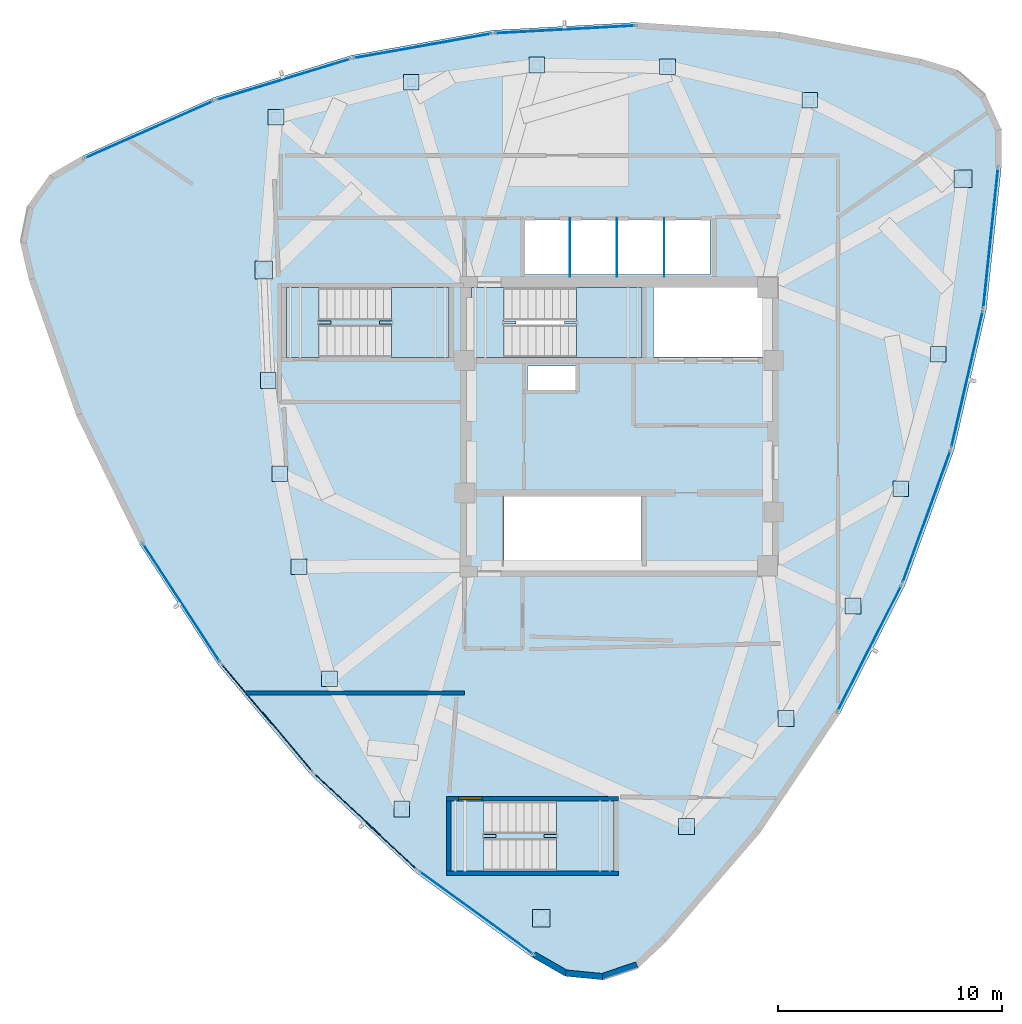
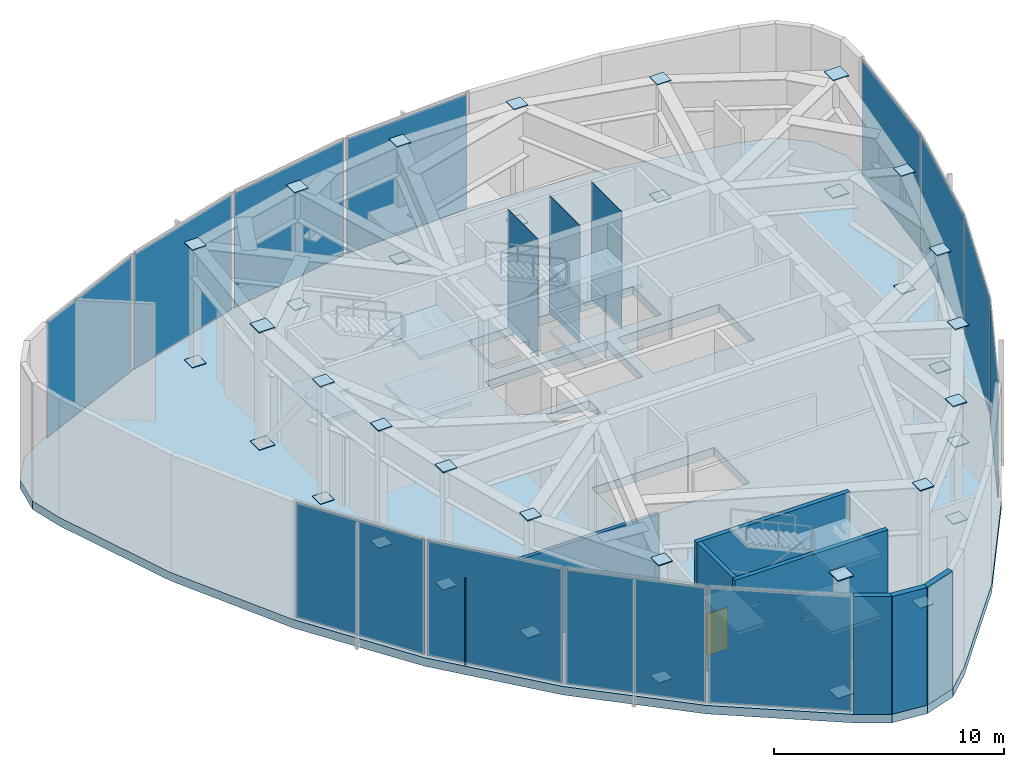
# One storey, part 7 of 13: 51 plates, 10 slabs, 7 walls, 1 door, 1 opening, 15 elements without a shape of their own.
"""IFC4 building model written with IfcOpenShell, lengths in metres."""

from ifc_helpers import new_model, si_unit, direction, frame, frame_2d, origin, origin_2d, place, context, subcontext, project, spatial, polyline, rectangle, outline, extrude, source, transform, mapped, material, layer, layer_set, type_object, type_shapes, element, fill, aggregate, save


model = new_model("IFC4")

# Units and contexts
model_context = context("Model", 3, precision=1e-05, world=origin(), true_north=direction((0.0, 1.0)))
body_context = subcontext(model_context, "Body", "Model", "MODEL_VIEW")
ifc_project = project(units=[si_unit("LENGTHUNIT", "METRE"), si_unit("AREAUNIT", "SQUARE_METRE"), si_unit("VOLUMEUNIT", "CUBIC_METRE"), si_unit("PLANEANGLEUNIT", "RADIAN"), si_unit("MASSUNIT", "GRAM", prefix="KILO")], contexts=[model_context])

# Site, building, storey
site_placement = place(None, origin())
site = spatial("IfcSite", under=ifc_project, at=site_placement, CompositionType="ELEMENT")
building_placement = place(site_placement, origin())
building = spatial("IfcBuilding", under=site, at=building_placement, Name="Tavelor Broadcast Tower", CompositionType="ELEMENT")
storey_placement = place(building_placement, frame((0.0, 0.0, 325.5)))
storey = spatial("IfcBuildingStorey", under=building, at=storey_placement, Name="L78", CompositionType="ELEMENT", Elevation=325.5)

# Stair, slabs
ifc_material_1 = material(Name="Concrete C40/50", Category="concrete")
stair_type = type_object("IfcStairType", Name="Reinforced Concrete Protected Dogleg Stair 1450 mm", PredefinedType="HALF_TURN_STAIR", material=ifc_material_1)
stair_1_placement = place(storey_placement, origin())
stair_1 = element("IfcStair", 1, at=stair_1_placement, inside=storey, type_object=stair_type, Name="L78 Protected Core Exit Stair ST1", PredefinedType="HALF_TURN_STAIR")
ifc_layer_1 = layer(ifc_material_1, 0.199951171875)
ifc_layer_set_1 = layer_set([ifc_layer_1], Name="Concrete C40/50")
slab_type_1 = type_object("IfcSlabType", Name="Reinforced Concrete Stair Half-Landing Slab 200 mm", PredefinedType="LANDING", material=ifc_layer_set_1)
slab_1_placement = place(storey_placement, frame((0.0, 0.0, 1.449951171875)))
slab_1 = element("IfcSlab", 2, at=slab_1_placement, type_object=slab_type_1, Name="ST1 landing 1", PredefinedType="LANDING", context=body_context, shape_type="SweptSolid", body=[
    extrude(outline(polyline([(48.0849609375, 49.590087890625), (48.0849609375, 48.094970703125), (51.0048828125, 48.094970703125), (51.0048828125, 51.205078125), (48.0849609375, 51.205078125), (48.0849609375, 49.7099609375), (47.544921875, 49.7099609375), (47.544921875, 49.590087890625), (48.0849609375, 49.590087890625)])), origin(), (0.0, 0.0, 1.0), 0.199951171875),
])
slab_2_placement = place(storey_placement, frame((0.0, 0.0, 3.10009765625)))
slab_2 = element("IfcSlab", 3, at=slab_2_placement, type_object=slab_type_1, Name="ST1 landing 2", PredefinedType="LANDING", context=body_context, shape_type="SweptSolid", body=[
    extrude(outline(polyline([(43.39501953125, 48.094970703125), (44.85498046875, 48.094970703125), (44.85498046875, 49.590087890625), (45.39501953125, 49.590087890625), (45.39501953125, 49.7099609375), (44.85498046875, 49.7099609375), (44.85498046875, 51.205078125), (43.39501953125, 51.205078125), (43.39501953125, 48.094970703125)])), origin(), (0.0, 0.0, 1.0), 0.199951171875),
])
slab_3_placement = place(storey_placement, frame((0.0, 0.0, 4.75)))
slab_3 = element("IfcSlab", 4, at=slab_3_placement, type_object=slab_type_1, Name="ST1 landing 3", PredefinedType="LANDING", context=body_context, shape_type="SweptSolid", body=[
    extrude(outline(polyline([(48.0849609375, 49.590087890625), (48.0849609375, 48.094970703125), (51.0048828125, 48.094970703125), (51.0048828125, 51.205078125), (48.0849609375, 51.205078125), (48.0849609375, 49.7099609375), (47.544921875, 49.7099609375), (47.544921875, 49.590087890625), (48.0849609375, 49.590087890625)])), origin(), (0.0, 0.0, 1.0), 0.199951171875),
])
aggregate(stair_1, [slab_1, slab_2, slab_3])

stair_2_placement = place(storey_placement, origin())
stair_2 = element("IfcStair", 5, at=stair_2_placement, inside=storey, type_object=stair_type, Name="L78 Crown Peak A Plant Stair ST5", PredefinedType="HALF_TURN_STAIR")
slab_4_placement = place(storey_placement, frame((0.0, 0.0, 1.449951171875)))
slab_4 = element("IfcSlab", 6, at=slab_4_placement, type_object=slab_type_1, Name="ST5 landing 1", PredefinedType="LANDING", context=body_context, shape_type="SweptSolid", body=[
    extrude(outline(polyline([(39.8349609375, 49.590087890625), (39.8349609375, 48.094970703125), (42.405029296875, 48.094970703125), (42.405029296875, 51.205078125), (39.8349609375, 51.205078125), (39.8349609375, 49.7099609375), (39.294921875, 49.7099609375), (39.294921875, 49.590087890625), (39.8349609375, 49.590087890625)])), origin(), (0.0, 0.0, 1.0), 0.199951171875),
])
slab_5_placement = place(storey_placement, frame((0.0, 0.0, 3.10009765625)))
slab_5 = element("IfcSlab", 7, at=slab_5_placement, type_object=slab_type_1, Name="ST5 landing 2", PredefinedType="LANDING", context=body_context, shape_type="SweptSolid", body=[
    extrude(outline(polyline([(35.14501953125, 48.094970703125), (36.60498046875, 48.094970703125), (36.60498046875, 49.590087890625), (37.14501953125, 49.590087890625), (37.14501953125, 49.7099609375), (36.60498046875, 49.7099609375), (36.60498046875, 51.205078125), (35.14501953125, 51.205078125), (35.14501953125, 48.094970703125)])), origin(), (0.0, 0.0, 1.0), 0.199951171875),
])
slab_6_placement = place(storey_placement, frame((0.0, 0.0, 4.75)))
slab_6 = element("IfcSlab", 8, at=slab_6_placement, type_object=slab_type_1, Name="ST5 landing 3", PredefinedType="LANDING", context=body_context, shape_type="SweptSolid", body=[
    extrude(outline(polyline([(39.8349609375, 49.590087890625), (39.8349609375, 48.094970703125), (42.405029296875, 48.094970703125), (42.405029296875, 51.205078125), (39.8349609375, 51.205078125), (39.8349609375, 49.7099609375), (39.294921875, 49.7099609375), (39.294921875, 49.590087890625), (39.8349609375, 49.590087890625)])), origin(), (0.0, 0.0, 1.0), 0.199951171875),
])
aggregate(stair_2, [slab_4, slab_5, slab_6])

stair_3_placement = place(storey_placement, origin())
stair_3 = element("IfcStair", 9, at=stair_3_placement, inside=storey, type_object=stair_type, Name="L78 Crown Peak B Plant Stair ST6", PredefinedType="HALF_TURN_STAIR")
slab_7_placement = place(storey_placement, frame((0.0, 0.0, 1.449951171875)))
slab_7 = element("IfcSlab", 10, at=slab_7_placement, type_object=slab_type_1, Name="ST6 landing 1", PredefinedType="LANDING", context=body_context, shape_type="SweptSolid", body=[
    extrude(outline(polyline([(47.18505859375, 26.68994140625), (47.18505859375, 25.195068359375), (49.7548828125, 25.195068359375), (49.7548828125, 28.304931640625), (47.18505859375, 28.304931640625), (47.18505859375, 26.81005859375), (46.64501953125, 26.81005859375), (46.64501953125, 26.68994140625), (47.18505859375, 26.68994140625)])), origin(), (0.0, 0.0, 1.0), 0.199951171875),
])
slab_8_placement = place(storey_placement, frame((0.0, 0.0, 3.10009765625)))
slab_8 = element("IfcSlab", 11, at=slab_8_placement, type_object=slab_type_1, Name="ST6 landing 2", PredefinedType="LANDING", context=body_context, shape_type="SweptSolid", body=[
    extrude(outline(polyline([(42.4951171875, 25.195068359375), (43.955078125, 25.195068359375), (43.955078125, 26.68994140625), (44.4951171875, 26.68994140625), (44.4951171875, 26.81005859375), (43.955078125, 26.81005859375), (43.955078125, 28.304931640625), (42.4951171875, 28.304931640625), (42.4951171875, 25.195068359375)])), origin(), (0.0, 0.0, 1.0), 0.199951171875),
])
slab_9_placement = place(storey_placement, frame((0.0, 0.0, 4.75)))
slab_9 = element("IfcSlab", 12, at=slab_9_placement, type_object=slab_type_1, Name="ST6 landing 3", PredefinedType="LANDING", context=body_context, shape_type="SweptSolid", body=[
    extrude(outline(polyline([(47.18505859375, 26.68994140625), (47.18505859375, 25.195068359375), (49.7548828125, 25.195068359375), (49.7548828125, 28.304931640625), (47.18505859375, 28.304931640625), (47.18505859375, 26.81005859375), (46.64501953125, 26.81005859375), (46.64501953125, 26.68994140625), (47.18505859375, 26.68994140625)])), origin(), (0.0, 0.0, 1.0), 0.199951171875),
])
aggregate(stair_3, [slab_7, slab_8, slab_9])

# Slab
ifc_layer_2 = layer(ifc_material_1, 0.449951171875)
ifc_layer_set_2 = layer_set([ifc_layer_2], Name="Concrete C40/50")
slab_type_2 = type_object("IfcSlabType", Name="Transfer Structural Floor Slab 450 mm", PredefinedType="FLOOR", material=ifc_layer_set_2)
slab_10_placement = place(storey_placement, frame((0.0, 0.0, -0.449951171875)))
element("IfcSlab", 13, at=slab_10_placement, inside=storey, type_object=slab_type_2, Name="L78 Structural Floor Slab", PredefinedType="FLOOR", context=body_context, shape_type="SweptSolid", body=[
    extrude(outline(polyline([(26.0498046875, 57.077392578125), (24.593017578125, 56.231201171875), (23.61328125, 54.860595703125), (23.284912109375, 53.208251953125), (23.665283203125, 51.567138671875), (25.776611328125, 45.51220703125), (28.60498046875, 39.757080078125), (32.109375, 34.38671875), (36.23779296875, 29.47998046875), (40.929443359375, 25.108642578125), (46.11572265625, 21.33740234375), (47.576904296875, 20.498779296875), (49.253662109375, 20.3359375), (50.84912109375, 20.87744140625), (52.080078125, 22.027587890625), (56.268310546875, 26.883544921875), (59.837890625, 32.210693359375), (62.736572265625, 37.930419921875), (64.921875, 43.959228515625), (66.361572265625, 50.2080078125), (67.034423828125, 56.585205078125), (67.030029296875, 58.269775390625), (66.332763671875, 59.803466796875), (65.066162109375, 60.914306640625), (63.45458984375, 61.405517578125), (57.1552734375, 62.6044921875), (50.757080078125, 63.0322265625), (44.35400390625, 62.6826171875), (38.040283203125, 61.560791015625), (31.908935546875, 59.683349609375), (26.0498046875, 57.077392578125)]), holes=[polyline([(50.99609375, 41.89599609375), (50.99609375, 38.803955078125), (44.85400390625, 38.803955078125), (44.85400390625, 41.89599609375), (50.99609375, 41.89599609375)]), polyline([(48.050048828125, 47.699951171875), (48.050048828125, 46.64990234375), (45.89990234375, 46.64990234375), (45.89990234375, 47.699951171875), (48.050048828125, 47.699951171875)]), polyline([(50.99609375, 51.196044921875), (50.99609375, 48.10400390625), (44.85400390625, 48.10400390625), (44.85400390625, 51.196044921875), (50.99609375, 51.196044921875)]), polyline([(56.60009765625, 48.10009765625), (51.52001953125, 48.10009765625), (51.52001953125, 51.199951171875), (56.60009765625, 51.199951171875), (56.60009765625, 48.10009765625)]), polyline([(54.050048828125, 51.800048828125), (45.800048828125, 51.800048828125), (45.800048828125, 54.25), (54.050048828125, 54.25), (54.050048828125, 51.800048828125)])]), origin(), (0.0, 0.0, 1.0), 0.449951171875),
])

# Plates
ifc_material_2 = material(Name="Steel S460", Category="steel")
ifc_layer_3 = layer(ifc_material_2, 0.050048828125)
ifc_layer_set_3 = layer_set([ifc_layer_3], Name="Steel S460")
plate_type_1 = type_object("IfcPlateType", Name="Tube Hollow-End Cap Plate KN05 700x700x50", PredefinedType="USERDEFINED", material=ifc_layer_set_3)
shared_shape_1 = source(origin(), body_context, "Body", "SweptSolid", [
    extrude(rectangle(XDim=0.699951171875, YDim=0.699951171875, at=origin_2d()), origin(), (0.0, 0.0, 1.0), 0.054931640625),
])
for number, where, z_axis, x_axis, name in (
    (14, (34.341552734375, 47.061279296875, -0.02734375), (0.0, 0.0, 1.0), (1.0, 0.0, 0.0), "L78 Hollow End Cap Plate KN05 #2391"),
    (15, (34.341552734375, 47.061279296875, 6.22265625), (0.0, 0.0, 1.0), (1.0, 0.0, 0.0), "L78 Hollow End Cap Plate KN05 #2392"),
    (16, (34.85400390625, 42.90185546875, -0.02734375), (0.0, 0.0, 1.0), (1.0, 0.0, 0.0), "L78 Hollow End Cap Plate KN05 #2393"),
    (17, (34.85400390625, 42.90185546875, 6.22265625), (0.0, 0.0, 1.0), (1.0, 0.0, 0.0), "L78 Hollow End Cap Plate KN05 #2394"),
    (18, (35.716552734375, 38.757080078125, -0.02734375), (0.0, 0.0, 1.0), (1.0, 0.0, 0.0), "L78 Hollow End Cap Plate KN05 #2395"),
    (19, (35.716552734375, 38.757080078125, 6.22265625), (0.0, 0.0, 1.0), (1.0, 0.0, 0.0), "L78 Hollow End Cap Plate KN05 #2396"),
    (20, (37.068115234375, 33.759521484375, -0.02734375), (0.0, 0.0, 1.0), (1.0, 0.0, 0.0), "L78 Hollow End Cap Plate KN05 #2397"),
    (21, (37.068115234375, 33.759521484375, 6.22265625), (0.0, 0.0, 1.0), (1.0, 0.0, 0.0), "L78 Hollow End Cap Plate KN05 #2398"),
    (22, (40.29638671875, 27.95361328125, -0.02734375), (0.0, 0.0, 1.0), (1.0, 0.0, 0.0), "L78 Hollow End Cap Plate KN05 #2399"),
    (23, (40.29638671875, 27.95361328125, 6.22265625), (0.0, 0.0, 1.0), (1.0, 0.0, 0.0), "L78 Hollow End Cap Plate KN05 #2400"),
    (24, (52.992919921875, 27.1767578125, -0.02734375), (0.0, 0.0, 1.0), (1.0, 0.0, 0.0), "L78 Hollow End Cap Plate KN05 #2403"),
    (25, (52.992919921875, 27.1767578125, 6.22265625), (0.0, 0.0, 1.0), (1.0, 0.0, 0.0), "L78 Hollow End Cap Plate KN05 #2404"),
    (26, (57.431396484375, 31.9921875, -0.02734375), (0.0, 0.0, 1.0), (1.0, 0.0, 0.0), "L78 Hollow End Cap Plate KN05 #2405"),
    (27, (57.431396484375, 31.9921875, 6.22265625), (0.0, 0.0, 1.0), (1.0, 0.0, 0.0), "L78 Hollow End Cap Plate KN05 #2406"),
    (28, (60.41748046875, 37.00439453125, -0.02734375), (0.0, 0.0, 1.0), (1.0, 0.0, 0.0), "L78 Hollow End Cap Plate KN05 #2407"),
    (29, (60.41748046875, 37.00439453125, 6.22265625), (0.0, 0.0, 1.0), (1.0, 0.0, 0.0), "L78 Hollow End Cap Plate KN05 #2408"),
    (30, (62.543701171875, 42.240478515625, -0.02734375), (0.0, 0.0, 1.0), (1.0, 0.0, 0.0), "L78 Hollow End Cap Plate KN05 #2409"),
    (31, (62.543701171875, 42.240478515625, 6.22265625), (0.0, 0.0, 1.0), (1.0, 0.0, 0.0), "L78 Hollow End Cap Plate KN05 #2410"),
    (32, (64.21435546875, 48.2373046875, -0.02734375), (0.0, 0.0, 1.0), (1.0, 0.0, 0.0), "L78 Hollow End Cap Plate KN05 #2411"),
    (33, (64.21435546875, 48.2373046875, 6.22265625), (0.0, 0.0, 1.0), (1.0, 0.0, 0.0), "L78 Hollow End Cap Plate KN05 #2412"),
    (34, (58.485595703125, 59.55712890625, -0.02734375), (0.0, 0.0, 1.0), (1.0, 0.0, 0.0), "L78 Hollow End Cap Plate KN05 #2415"),
    (35, (58.485595703125, 59.55712890625, 6.22265625), (0.0, 0.0, 1.0), (1.0, 0.0, 0.0), "L78 Hollow End Cap Plate KN05 #2416"),
    (36, (52.147216796875, 61.05078125, -0.02734375), (0.0, 0.0, 1.0), (1.0, 0.0, 0.0), "L78 Hollow End Cap Plate KN05 #2417"),
    (37, (52.147216796875, 61.05078125, 6.22265625), (0.0, 0.0, 1.0), (1.0, 0.0, 0.0), "L78 Hollow End Cap Plate KN05 #2418"),
    (38, (46.3154296875, 61.13720703125, -0.02734375), (0.0, 0.0, 1.0), (1.0, 0.0, 0.0), "L78 Hollow End Cap Plate KN05 #2419"),
    (39, (46.3154296875, 61.13720703125, 6.22265625), (0.0, 0.0, 1.0), (1.0, 0.0, 0.0), "L78 Hollow End Cap Plate KN05 #2420"),
    (40, (40.718017578125, 60.36083984375, -0.02734375), (0.0, 0.0, 1.0), (1.0, 0.0, 0.0), "L78 Hollow End Cap Plate KN05 #2421"),
    (41, (40.718017578125, 60.36083984375, 6.22265625), (0.0, 0.0, 1.0), (1.0, 0.0, 0.0), "L78 Hollow End Cap Plate KN05 #2422"),
    (42, (34.689208984375, 58.80908203125, -0.02734375), (0.0, 0.0, 1.0), (1.0, 0.0, 0.0), "L78 Hollow End Cap Plate KN05 #2423"),
    (43, (34.689208984375, 58.80908203125, 6.22265625), (0.0, 0.0, 1.0), (1.0, 0.0, 0.0), "L78 Hollow End Cap Plate KN05 #2424"),
):
    element("IfcPlate", number, at=place(storey_placement, frame(where, z_axis=z_axis, x_axis=x_axis)), inside=storey, type_object=plate_type_1, Name=name, ObjectType="CAP PLATE", PredefinedType="USERDEFINED", context=body_context, shape_type="MappedRepresentation", body=[
        mapped(shared_shape_1, transform((0.0, 0.0, 0.0), scale=1.0)),
    ])
shared_shape_2 = source(origin(), body_context, "Body", "SweptSolid", [
    extrude(rectangle(XDim=0.791015625, YDim=0.791015625, at=origin_2d()), origin(), (0.0, 0.0, 1.0), 0.054931640625),
])
type_shapes(plate_type_1, [shared_shape_1, shared_shape_2])
for number, where, z_axis, x_axis, name in (
    (44, (34.134765625, 51.995849609375, -0.02734375), (0.0, 0.0, 1.0), (1.0, 0.0, 0.0), "L78 Hollow End Cap Plate KN05 #2389"),
    (45, (34.134765625, 51.995849609375, 6.22265625), (0.0, 0.0, 1.0), (1.0, 0.0, 0.0), "L78 Hollow End Cap Plate KN05 #2390"),
    (46, (46.5146484375, 23.08740234375, -0.02734375), (0.0, 0.0, 1.0), (1.0, 0.0, 0.0), "L78 Hollow End Cap Plate KN05 #2401"),
    (47, (46.5146484375, 23.08740234375, 6.22265625), (0.0, 0.0, 1.0), (1.0, 0.0, 0.0), "L78 Hollow End Cap Plate KN05 #2402"),
    (48, (65.319580078125, 56.0556640625, -0.02734375), (0.0, 0.0, 1.0), (1.0, 0.0, 0.0), "L78 Hollow End Cap Plate KN05 #2413"),
    (49, (65.319580078125, 56.0556640625, 6.22265625), (0.0, 0.0, 1.0), (1.0, 0.0, 0.0), "L78 Hollow End Cap Plate KN05 #2414"),
):
    element("IfcPlate", number, at=place(storey_placement, frame(where, z_axis=z_axis, x_axis=x_axis)), inside=storey, type_object=plate_type_1, Name=name, ObjectType="CAP PLATE", PredefinedType="USERDEFINED", context=body_context, shape_type="MappedRepresentation", body=[
        mapped(shared_shape_2, transform((0.0, 0.0, 0.0), scale=1.0)),
    ])
ifc_material_3 = material(Name="Steel S355", Category="steel")
ifc_layer_4 = layer(ifc_material_3, 0.011962890625)
ifc_layer_set_4 = layer_set([ifc_layer_4], Name="Steel S355")
plate_type_2 = type_object("IfcPlateType", Name="Hoistway Steel Separator Screen 12 mm", PredefinedType="SHEET", material=ifc_layer_set_4)
shared_shape_3 = source(origin(), body_context, "Body", "SweptSolid", [
    extrude(rectangle(XDim=0.02001953125, YDim=2.6201171875, at=origin_2d()), origin(), (0.0, 0.0, 1.0), 6.25),
])
type_shapes(plate_type_2, [shared_shape_3])
for number, where, z_axis, x_axis, name in (
    (50, (47.800048828125, 52.989990234375, 0.0), (0.0, 0.0, 1.0), (1.0, 0.0, 0.0), "L78 High-Rise Hoistway Separator Screen 1"),
    (51, (49.89990234375, 52.989990234375, 0.0), (0.0, 0.0, 1.0), (1.0, 0.0, 0.0), "L78 High-Rise Hoistway Separator Screen 2"),
    (52, (52.0, 52.989990234375, 0.0), (0.0, 0.0, 1.0), (1.0, 0.0, 0.0), "L78 High-Rise Hoistway Separator Screen 3"),
):
    element("IfcPlate", number, at=place(storey_placement, frame(where, z_axis=z_axis, x_axis=x_axis)), inside=storey, type_object=plate_type_2, Name=name, PredefinedType="SHEET", context=body_context, shape_type="MappedRepresentation", body=[
        mapped(shared_shape_3, transform((0.0, 0.0, 0.0), scale=1.0)),
    ])

# Curtain wall, plate
ifc_material_4 = material(Name="Architectural Anodized Aluminium", Category="aluminium")
ifc_layer_5 = layer(ifc_material_4, 0.199951171875)
ifc_layer_set_5 = layer_set([ifc_layer_5], Name="Architectural Anodized Aluminium")
curtain_wall_type = type_object("IfcCurtainWallType", Name="Tower High-Zone Triple-Glazed Curtain Wall CW04", PredefinedType="NOTDEFINED", material=ifc_layer_set_5)
curtain_wall_1_placement = place(storey_placement, origin())
curtain_wall_1 = element("IfcCurtainWall", 53, at=curtain_wall_1_placement, inside=storey, type_object=curtain_wall_type, Name="L78 Curtain Wall CW04 Run 865", PredefinedType="NOTDEFINED")
ifc_material_5 = material(Name="High-Altitude Triple Glazing 36 mm", Category="glass")
ifc_layer_6 = layer(ifc_material_5, 0.035888671875)
ifc_layer_set_6 = layer_set([ifc_layer_6], Name="High-Altitude Triple Glazing 36 mm")
plate_type_3 = type_object("IfcPlateType", Name="CW04 Insulated Vision Glazing Panel 36 mm", PredefinedType="CURTAIN_PANEL", material=ifc_layer_set_6)
shared_shape_4 = source(origin(), body_context, "Body", "SweptSolid", [
    extrude(rectangle(XDim=6.240478515625, YDim=0.035888671875, at=origin_2d()), origin(), (0.0, 0.0, 1.0), 6.110107421875),
])
plate_1_placement = place(storey_placement, frame((30.470458984375, 37.15478515625, 0.06982421875), z_axis=(0.0, 0.0, 1.0), x_axis=(0.546459476001, -0.837485546794, 0.0)))
plate_1 = element("IfcPlate", 54, at=plate_1_placement, type_object=plate_type_3, Name="CW04 panel 1.1", PredefinedType="CURTAIN_PANEL", context=body_context, shape_type="MappedRepresentation", body=[
    mapped(shared_shape_4, transform((0.0, 0.0, 0.0), scale=1.0)),
])
aggregate(curtain_wall_1, [plate_1])

curtain_wall_2_placement = place(storey_placement, origin())
curtain_wall_2 = element("IfcCurtainWall", 55, at=curtain_wall_2_placement, inside=storey, type_object=curtain_wall_type, Name="L78 Curtain Wall CW04 Run 869", PredefinedType="NOTDEFINED")
plate_2_placement = place(storey_placement, frame((61.158935546875, 35.127197265625, 0.06982421875), z_axis=(0.0, 0.0, 1.0), x_axis=(0.452040617917, 0.891997354118, 0.0)))
plate_2 = element("IfcPlate", 56, at=plate_2_placement, type_object=plate_type_3, Name="CW04 panel 1.1", PredefinedType="CURTAIN_PANEL", context=body_context, shape_type="MappedRepresentation", body=[
    mapped(shared_shape_4, transform((0.0, 0.0, 0.0), scale=1.0)),
])
aggregate(curtain_wall_2, [plate_2])

curtain_wall_3_placement = place(storey_placement, origin())
curtain_wall_3 = element("IfcCurtainWall", 57, at=curtain_wall_3_placement, inside=storey, type_object=curtain_wall_type, Name="L78 Curtain Wall CW04 Run 873", PredefinedType="NOTDEFINED")
plate_3_placement = place(storey_placement, frame((47.570556640625, 62.718017578125, 0.06982421875), z_axis=(0.0, 0.0, 1.0), x_axis=(-0.998514080283, -0.054494325177, 0.0)))
plate_3 = element("IfcPlate", 58, at=plate_3_placement, type_object=plate_type_3, Name="CW04 panel 1.1", PredefinedType="CURTAIN_PANEL", context=body_context, shape_type="MappedRepresentation", body=[
    mapped(shared_shape_4, transform((0.0, 0.0, 0.0), scale=1.0)),
])
aggregate(curtain_wall_3, [plate_3])

curtain_wall_4_placement = place(storey_placement, origin())
curtain_wall_4 = element("IfcCurtainWall", 59, at=curtain_wall_4_placement, inside=storey, type_object=curtain_wall_type, Name="L78 Curtain Wall CW04 Run 866", PredefinedType="NOTDEFINED")
shared_shape_5 = source(origin(), body_context, "Body", "SweptSolid", [
    extrude(rectangle(XDim=6.2255859375, YDim=0.035888671875, at=origin_2d()), origin(), (0.0, 0.0, 1.0), 6.110107421875),
])
plate_4_placement = place(storey_placement, frame((34.28076171875, 32.0234375, 0.06982421875), z_axis=(0.0, 0.0, 1.0), x_axis=(0.64379462838, -0.765198324925, 0.0)))
plate_4 = element("IfcPlate", 60, at=plate_4_placement, type_object=plate_type_3, Name="CW04 panel 1.1", PredefinedType="CURTAIN_PANEL", context=body_context, shape_type="MappedRepresentation", body=[
    mapped(shared_shape_5, transform((0.0, 0.0, 0.0), scale=1.0)),
])
aggregate(curtain_wall_4, [plate_4])

curtain_wall_5_placement = place(storey_placement, origin())
curtain_wall_5 = element("IfcCurtainWall", 61, at=curtain_wall_5_placement, inside=storey, type_object=curtain_wall_type, Name="L78 Curtain Wall CW04 Run 867", PredefinedType="NOTDEFINED")
plate_5_placement = place(storey_placement, frame((38.678955078125, 27.396728515625, 0.06982421875), z_axis=(0.0, 0.0, 1.0), x_axis=(0.731666722469, -0.681662531779, 0.0)))
plate_5 = element("IfcPlate", 62, at=plate_5_placement, type_object=plate_type_3, Name="CW04 panel 1.1", PredefinedType="CURTAIN_PANEL", context=body_context, shape_type="MappedRepresentation", body=[
    mapped(shared_shape_5, transform((0.0, 0.0, 0.0), scale=1.0)),
])
aggregate(curtain_wall_5, [plate_5])

curtain_wall_6_placement = place(storey_placement, origin())
curtain_wall_6 = element("IfcCurtainWall", 63, at=curtain_wall_6_placement, inside=storey, type_object=curtain_wall_type, Name="L78 Curtain Wall CW04 Run 870", PredefinedType="NOTDEFINED")
plate_6_placement = place(storey_placement, frame((63.69775390625, 40.992431640625, 0.06982421875), z_axis=(0.0, 0.0, 1.0), x_axis=(0.340788042033, 0.940140154662, 0.0)))
plate_6 = element("IfcPlate", 64, at=plate_6_placement, type_object=plate_type_3, Name="CW04 panel 1.1", PredefinedType="CURTAIN_PANEL", context=body_context, shape_type="MappedRepresentation", body=[
    mapped(shared_shape_5, transform((0.0, 0.0, 0.0), scale=1.0)),
])
aggregate(curtain_wall_6, [plate_6])

curtain_wall_7_placement = place(storey_placement, origin())
curtain_wall_7 = element("IfcCurtainWall", 65, at=curtain_wall_7_placement, inside=storey, type_object=curtain_wall_type, Name="L78 Curtain Wall CW04 Run 871", PredefinedType="NOTDEFINED")
plate_7_placement = place(storey_placement, frame((65.50537109375, 47.114990234375, 0.06982421875), z_axis=(0.0, 0.0, 1.0), x_axis=(0.224507259451, 0.974472416466, 0.0)))
plate_7 = element("IfcPlate", 66, at=plate_7_placement, type_object=plate_type_3, Name="CW04 panel 1.1", PredefinedType="CURTAIN_PANEL", context=body_context, shape_type="MappedRepresentation", body=[
    mapped(shared_shape_5, transform((0.0, 0.0, 0.0), scale=1.0)),
])
aggregate(curtain_wall_7, [plate_7])

curtain_wall_8_placement = place(storey_placement, origin())
curtain_wall_8 = element("IfcCurtainWall", 67, at=curtain_wall_8_placement, inside=storey, type_object=curtain_wall_type, Name="L78 Curtain Wall CW04 Run 874", PredefinedType="NOTDEFINED")
plate_8_placement = place(storey_placement, frame((41.2216796875, 61.98388671875, 0.06982421875), z_axis=(0.0, 0.0, 1.0), x_axis=(-0.984581573013, -0.174926058903, 0.0)))
plate_8 = element("IfcPlate", 68, at=plate_8_placement, type_object=plate_type_3, Name="CW04 panel 1.1", PredefinedType="CURTAIN_PANEL", context=body_context, shape_type="MappedRepresentation", body=[
    mapped(shared_shape_5, transform((0.0, 0.0, 0.0), scale=1.0)),
])
aggregate(curtain_wall_8, [plate_8])

curtain_wall_9_placement = place(storey_placement, origin())
curtain_wall_9 = element("IfcCurtainWall", 69, at=curtain_wall_9_placement, inside=storey, type_object=curtain_wall_type, Name="L78 Curtain Wall CW04 Run 875", PredefinedType="NOTDEFINED")
plate_9_placement = place(storey_placement, frame((35.015625, 60.48828125, 0.06982421875), z_axis=(0.0, 0.0, 1.0), x_axis=(-0.956169799331, -0.292812764146, 0.0)))
plate_9 = element("IfcPlate", 70, at=plate_9_placement, type_object=plate_type_3, Name="CW04 panel 1.1", PredefinedType="CURTAIN_PANEL", context=body_context, shape_type="MappedRepresentation", body=[
    mapped(shared_shape_5, transform((0.0, 0.0, 0.0), scale=1.0)),
])
aggregate(curtain_wall_9, [plate_9])

curtain_wall_10_placement = place(storey_placement, origin())
curtain_wall_10 = element("IfcCurtainWall", 71, at=curtain_wall_10_placement, inside=storey, type_object=curtain_wall_type, Name="L78 Curtain Wall CW04 Run 868", PredefinedType="NOTDEFINED")
shared_shape_6 = source(origin(), body_context, "Body", "SweptSolid", [
    extrude(rectangle(XDim=6.241455078125, YDim=0.035888671875, at=origin_2d()), origin(), (0.0, 0.0, 1.0), 6.110107421875),
])
type_shapes(plate_type_3, [shared_shape_4, shared_shape_5, shared_shape_6])
plate_10_placement = place(storey_placement, frame((43.611328125, 23.33154296875, 0.06982421875), z_axis=(0.0, 0.0, 1.0), x_axis=(0.808775386061, -0.588117653961, 0.0)))
plate_10 = element("IfcPlate", 72, at=plate_10_placement, type_object=plate_type_3, Name="CW04 panel 1.1", PredefinedType="CURTAIN_PANEL", context=body_context, shape_type="MappedRepresentation", body=[
    mapped(shared_shape_6, transform((0.0, 0.0, 0.0), scale=1.0)),
])
aggregate(curtain_wall_10, [plate_10])

curtain_wall_11_placement = place(storey_placement, origin())
curtain_wall_11 = element("IfcCurtainWall", 73, at=curtain_wall_11_placement, inside=storey, type_object=curtain_wall_type, Name="L78 Curtain Wall CW04 Run 872", PredefinedType="NOTDEFINED")
plate_11_placement = place(storey_placement, frame((66.5595703125, 53.419189453125, 0.06982421875), z_axis=(0.0, 0.0, 1.0), x_axis=(0.104944996248, 0.994478027793, 0.0)))
plate_11 = element("IfcPlate", 74, at=plate_11_placement, type_object=plate_type_3, Name="CW04 panel 1.1", PredefinedType="CURTAIN_PANEL", context=body_context, shape_type="MappedRepresentation", body=[
    mapped(shared_shape_6, transform((0.0, 0.0, 0.0), scale=1.0)),
])
aggregate(curtain_wall_11, [plate_11])

curtain_wall_12_placement = place(storey_placement, origin())
curtain_wall_12 = element("IfcCurtainWall", 75, at=curtain_wall_12_placement, inside=storey, type_object=curtain_wall_type, Name="L78 Curtain Wall CW04 Run 876", PredefinedType="NOTDEFINED")
plate_12_placement = place(storey_placement, frame((29.02880859375, 58.249267578125, 0.06982421875), z_axis=(0.0, 0.0, 1.0), x_axis=(-0.913710712836, -0.406365270721, 0.0)))
plate_12 = element("IfcPlate", 76, at=plate_12_placement, type_object=plate_type_3, Name="CW04 panel 1.1", PredefinedType="CURTAIN_PANEL", context=body_context, shape_type="MappedRepresentation", body=[
    mapped(shared_shape_6, transform((0.0, 0.0, 0.0), scale=1.0)),
])
aggregate(curtain_wall_12, [plate_12])

# Walls
ifc_material_6 = material(Name="Calcium Silicate Fire Board 180 mm", Category="gypsum")
ifc_layer_7 = layer(ifc_material_6, 0.179931640625)
ifc_layer_set_7 = layer_set([ifc_layer_7], Name="Calcium Silicate Fire Board 180 mm")
wall_type_1 = type_object("IfcWallType", Name="Fire-Rated Corridor Partition Wall 180 mm", PredefinedType="PARTITIONING", material=ifc_layer_set_7)
wall_1_placement = place(storey_placement, frame((33.358154296875, 33.1201171875, 0.0), z_axis=(0.0, 0.0, 1.0), x_axis=(1.0, 0.0, 0.0)))
element("IfcWall", 77, at=wall_1_placement, inside=storey, type_object=wall_type_1, Name="L78 Fire Refuge South EI120 Wall", PredefinedType="PARTITIONING", context=body_context, shape_type="SweptSolid", body=[
    extrude(rectangle(XDim=9.741943359375, YDim=0.179931640625, at=frame_2d((4.87109375, 0.0))), origin(), (0.0, 0.0, 1.0), 4.625),
])
ifc_material_7 = material(Name="Precast Concrete C40/50", Category="concrete")
ifc_layer_8 = layer(ifc_material_7, 0.280029296875)
ifc_layer_set_8 = layer_set([ifc_layer_8], Name="Precast Concrete C40/50")
wall_type_2 = type_object("IfcWallType", Name="Insulated Precast Terracotta Facade Wall 280 mm", PredefinedType="STANDARD", material=ifc_layer_set_8)
wall_2_placement = place(storey_placement, frame((46.1884765625, 21.45703125, 0.0), z_axis=(0.0, 0.0, 1.0), x_axis=(0.867376101284, -0.497653191411, 0.0)))
element("IfcWall", 78, at=wall_2_placement, inside=storey, type_object=wall_type_2, Name="L78 Rounded Corner Structural Cladding Pier 11", PredefinedType="STANDARD", context=body_context, shape_type="SweptSolid", body=[
    extrude(rectangle(XDim=1.666015625, YDim=0.280029296875, at=frame_2d((0.8330078125, 0.0))), origin(), (0.0, 0.0, 1.0), 6.25),
])
for number, where, z_axis, x_axis, name in (
    (79, (47.60546875, 20.63671875, 0.0), (0.0, 0.0, 1.0), (0.995318012004, -0.096654306577, 0.0), "L78 Rounded Corner Structural Cladding Pier 12"),
    (80, (49.222900390625, 20.473388671875, 0.0), (0.0, 0.0, 1.0), (0.946957855225, 0.32135777636, 0.0), "L78 Rounded Corner Structural Cladding Pier 13"),
):
    element("IfcWall", number, at=place(storey_placement, frame(where, z_axis=z_axis, x_axis=x_axis)), inside=storey, type_object=wall_type_2, Name=name, PredefinedType="STANDARD", context=body_context, shape_type="SweptSolid", body=[
        extrude(rectangle(XDim=1.654541015625, YDim=0.280029296875, at=frame_2d((0.8271484375, 0.0))), origin(), (0.0, 0.0, 1.0), 6.25),
    ])
ifc_layer_9 = layer(ifc_material_1, 0.219970703125)
ifc_layer_set_9 = layer_set([ifc_layer_9], Name="Concrete C40/50")
wall_type_3 = type_object("IfcWallType", Name="Structural Stairwell Shear Wall 220 mm", PredefinedType="SHEAR", material=ifc_layer_set_9)
wall_3_placement = place(storey_placement, frame((42.280029296875, 25.090087890625, 0.0), z_axis=(0.0, 0.0, 1.0), x_axis=(1.0, 0.0, 0.0)))
element("IfcWall", 81, at=wall_3_placement, inside=storey, type_object=wall_type_3, Name="L78 Stair ST6 Structural Shaft Wall S", PredefinedType="SHEAR", context=body_context, shape_type="SweptSolid", body=[
    extrude(rectangle(XDim=7.68994140625, YDim=0.219970703125, at=frame_2d((3.844970703125, 0.0))), origin(), (0.0, 0.0, 1.0), 6.25),
])

# Wall, opening, door
wall_4_placement = place(storey_placement, frame((42.280029296875, 28.409912109375, 0.0), z_axis=(0.0, 0.0, 1.0), x_axis=(1.0, 0.0, 0.0)))
wall_4 = element("IfcWall", 82, at=wall_4_placement, inside=storey, type_object=wall_type_3, Name="L78 Stair ST6 Structural Shaft Wall N", PredefinedType="SHEAR", context=body_context, shape_type="SweptSolid", body=[
    extrude(rectangle(XDim=7.68994140625, YDim=0.219970703125, at=frame_2d((3.844970703125, 0.0))), origin(), (0.0, 0.0, 1.0), 6.25),
])
opening_placement = place(wall_4_placement, frame((0.550048828125, 0.0, 0.0)))
opening = element("IfcOpeningElement", 83, at=opening_placement, cuts=wall_4, Name="Opening DR11", PredefinedType="OPENING", context=body_context, shape_type="SweptSolid", body=[
    extrude(rectangle(XDim=1.050048828125, YDim=2.199951171875, at=frame_2d((0.52490234375, 1.10009765625))), frame((0.0, 0.1201171875, 0.0), z_axis=(0.0, -1.0, 0.0), x_axis=(1.0, 0.0, 0.0)), (0.0, 0.0, 1.0), 0.239990234375),
])
door_type = type_object("IfcDoorType", Name="Stair Core Fire Escape Door 1050x2200", OperationType="NOTDEFINED", PredefinedType="DOOR", material=ifc_material_3)
door_placement = place(opening_placement, origin())
door = element("IfcDoor", 84, at=door_placement, inside=storey, type_object=door_type, Name="L78 Stair ST6 Protected Fire Door", OperationType="SINGLE_SWING_LEFT", OverallHeight=2.199951171875, OverallWidth=1.050048828125, PredefinedType="DOOR", context=body_context, shape_type="SweptSolid", body=[
    extrude(rectangle(XDim=1.050048828125, YDim=2.199951171875, at=frame_2d((0.52490234375, 1.10009765625))), frame((0.0, 0.02490234375, 0.0), z_axis=(0.0, -1.0, 0.0), x_axis=(1.0, 0.0, 0.0)), (0.0, 0.0, 1.0), 0.050048828125),
])
fill(opening, door)

# Wall
wall_5_placement = place(storey_placement, frame((42.389892578125, 25.199951171875, 0.0), z_axis=(0.0, 0.0, 1.0), x_axis=(0.0, 1.0, 0.0)))
element("IfcWall", 85, at=wall_5_placement, inside=storey, type_object=wall_type_3, Name="L78 Stair ST6 Structural Shaft Wall W", PredefinedType="SHEAR", context=body_context, shape_type="SweptSolid", body=[
    extrude(rectangle(XDim=3.10009765625, YDim=0.219970703125, at=frame_2d((1.550048828125, 0.0))), origin(), (0.0, 0.0, 1.0), 6.25),
])

save(model, "model.ifc")
